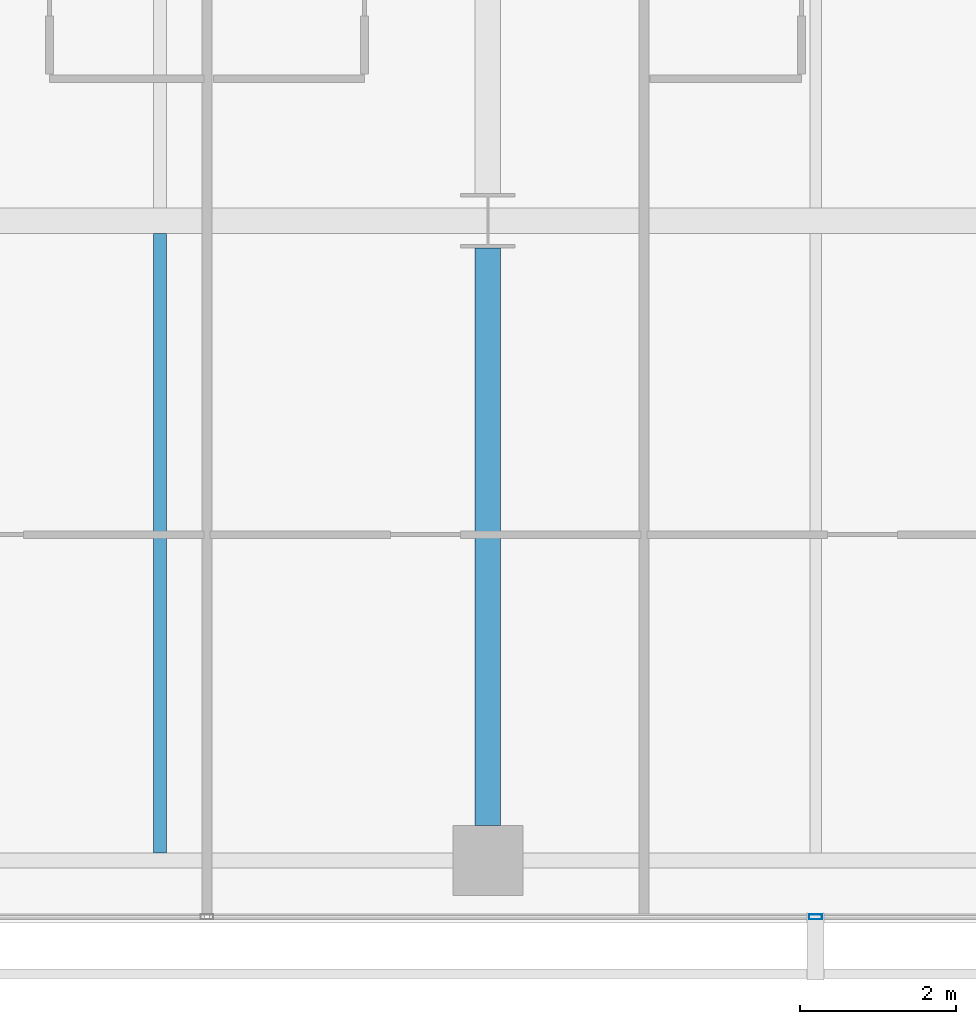
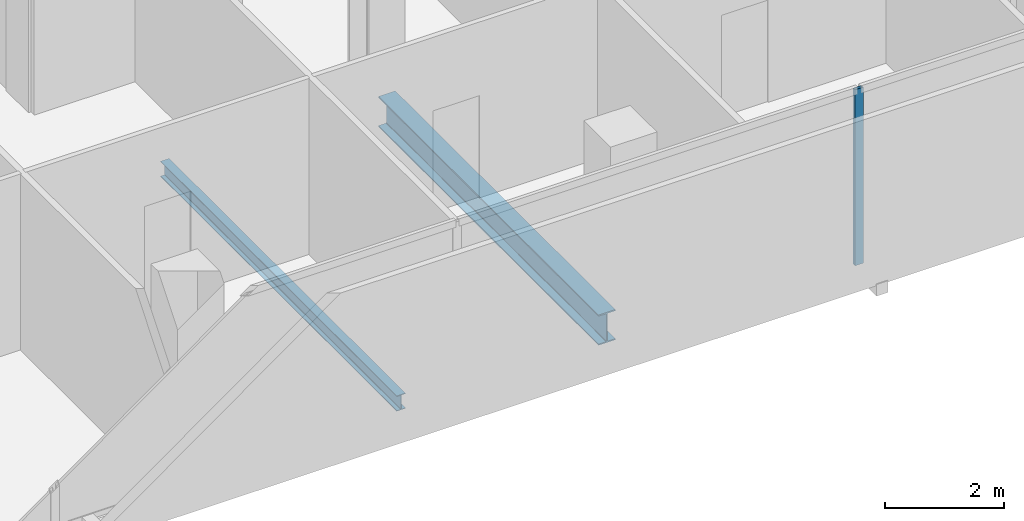
# One storey, part 8 of 41: 2 beams, 1 member, 1 element without a shape of its own.
"""IFC4 building model written with IfcOpenShell, lengths in metres."""

from ifc_helpers import new_model, si_unit, direction, frame, origin, origin_2d, place, context, subcontext, project, spatial, hollow_rectangle, i_section, extrude, material, layer, layer_set, material_profile, profile_set, type_object, element, aggregate, save


model = new_model("IFC4")

# Units and contexts
model_context = context("Model", 3, precision=1e-05, world=origin(), true_north=direction((0.0, 1.0)))
body_context = subcontext(model_context, "Body", "Model", "MODEL_VIEW")
ifc_project = project(units=[si_unit("LENGTHUNIT", "METRE"), si_unit("AREAUNIT", "SQUARE_METRE"), si_unit("VOLUMEUNIT", "CUBIC_METRE"), si_unit("PLANEANGLEUNIT", "RADIAN"), si_unit("MASSUNIT", "GRAM", prefix="KILO")], contexts=[model_context])

# Site, building, storey
site_placement = place(None, origin())
site = spatial("IfcSite", under=ifc_project, at=site_placement, CompositionType="ELEMENT")
building_placement = place(site_placement, origin())
building = spatial("IfcBuilding", under=site, at=building_placement, Name="Maruvema Waterfront Hotel and Observation Tower", CompositionType="ELEMENT")
storey_placement = place(building_placement, frame((0.0, 0.0, 61.60009765625)))
storey = spatial("IfcBuildingStorey", under=building, at=storey_placement, Name="L14", CompositionType="ELEMENT", Elevation=61.60009765625)

# Curtain wall, member
ifc_material_1 = material(Name="Anodised bronze aluminium and solar-control low-E IGU", Category="aluminium")
ifc_layer = layer(ifc_material_1, 0.159912109375, Name="Zone 1 Bronze Inner Thermal Curtain Wall System CW-02")
ifc_layer_set = layer_set([ifc_layer], Name="Anodised bronze aluminium and solar-control low-E IGU")
curtain_wall_type = type_object("IfcCurtainWallType", Name="Zone 1 Bronze Inner Thermal Curtain Wall System CW-02", PredefinedType="USERDEFINED", material=ifc_layer_set)
curtain_wall_placement = place(storey_placement, origin())
curtain_wall = element("IfcCurtainWall", 1, at=curtain_wall_placement, inside=storey, type_object=curtain_wall_type, Name="L14 Curtain Wall CW-L14-S", ObjectType="UNITISED CURTAIN WALL", PredefinedType="USERDEFINED")
ifc_material_2 = material(Name="Anodised architectural bronze aluminium", Category="aluminium")
ifc_material_profile_1 = material_profile(ifc_material_2, hollow_rectangle(XDim=0.06494140625, YDim=0.1650390625, WallThickness=0.00390625, at=origin_2d()), Name="ALU-M65x165")
ifc_profile_set_1 = profile_set([ifc_material_profile_1], Name="Anodised architectural bronze aluminium")
member_type = type_object("IfcMemberType", Name="Curtain Wall Primary Mullion ALU-M65x165", PredefinedType="MULLION", material=ifc_profile_set_1)
member_placement = place(storey_placement, frame((37.800048828125, 0.080078125, 0.0), z_axis=(0.0, 0.0, 1.0), x_axis=(0.0, 1.0, 0.0)))
member = element("IfcMember", 2, at=member_placement, type_object=member_type, Name="CW-02 mullion 4", PredefinedType="MULLION", context=body_context, shape_type="SweptSolid", body=[
    extrude(hollow_rectangle(XDim=0.06494140625, YDim=0.1650390625, WallThickness=0.00390625, at=origin_2d()), origin(), (0.0, 0.0, 1.0), 3.60986328125),
])
aggregate(curtain_wall, [member])

# Beams
ifc_material_3 = material(Name="Steel ASTM A572 Grade 50", Category="steel")
ifc_material_profile_2 = material_profile(ifc_material_3, i_section(OverallWidth=0.326904296875, OverallDepth=0.6220703125, WebThickness=0.015380859375, FlangeThickness=0.0244140625, FilletRadius=0.01806640625, at=origin_2d()), Name="W610x195.0")
ifc_profile_set_2 = profile_set([ifc_material_profile_2], Name="Steel ASTM A572 Grade 50")
beam_type_1 = type_object("IfcBeamType", Name="Primary Floor Girder W610x195.0", PredefinedType="BEAM", material=ifc_profile_set_2)
beam_1_placement = place(storey_placement, frame((33.60009765625, 1.25, -0.551025390625), z_axis=(0.0, 1.0, 0.0), x_axis=(-1.0, 0.0, 0.0)))
element("IfcBeam", 3, at=beam_1_placement, inside=storey, type_object=beam_type_1, Name="L14 Floor Girder NS-16", PredefinedType="BEAM", context=body_context, shape_type="SweptSolid", body=[
    extrude(i_section(OverallWidth=0.326904296875, OverallDepth=0.6220703125, WebThickness=0.015380859375, FlangeThickness=0.0244140625, FilletRadius=0.01806640625, at=origin_2d()), origin(), (0.0, 0.0, 1.0), 7.39990234375),
])
ifc_material_4 = material(Name="Steel ASTM A572 Grade 50", Category="steel")
ifc_material_profile_3 = material_profile(ifc_material_4, i_section(OverallWidth=0.1669921875, OverallDepth=0.31689453125, WebThickness=0.007568359375, FlangeThickness=0.01318359375, FilletRadius=0.012939453125, at=origin_2d()), Name="W310x52.0")
ifc_profile_set_3 = profile_set([ifc_material_profile_3], Name="Steel ASTM A572 Grade 50")
beam_type_2 = type_object("IfcBeamType", Name="Secondary Floor Joist W310x52.0", PredefinedType="JOIST", material=ifc_profile_set_3)
beam_2_placement = place(storey_placement, frame((29.39990234375, 0.89501953125, -0.398681640625), z_axis=(0.0, 1.0, 0.0), x_axis=(-1.0, 0.0, 0.0)))
element("IfcBeam", 4, at=beam_2_placement, inside=storey, type_object=beam_type_2, Name="L14 Secondary Floor Joist JS-10", PredefinedType="JOIST", context=body_context, shape_type="SweptSolid", body=[
    extrude(i_section(OverallWidth=0.1669921875, OverallDepth=0.31689453125, WebThickness=0.007568359375, FlangeThickness=0.01318359375, FilletRadius=0.012939453125, at=origin_2d()), origin(), (0.0, 0.0, 1.0), 7.94140625),
])

save(model, "model.ifc")
